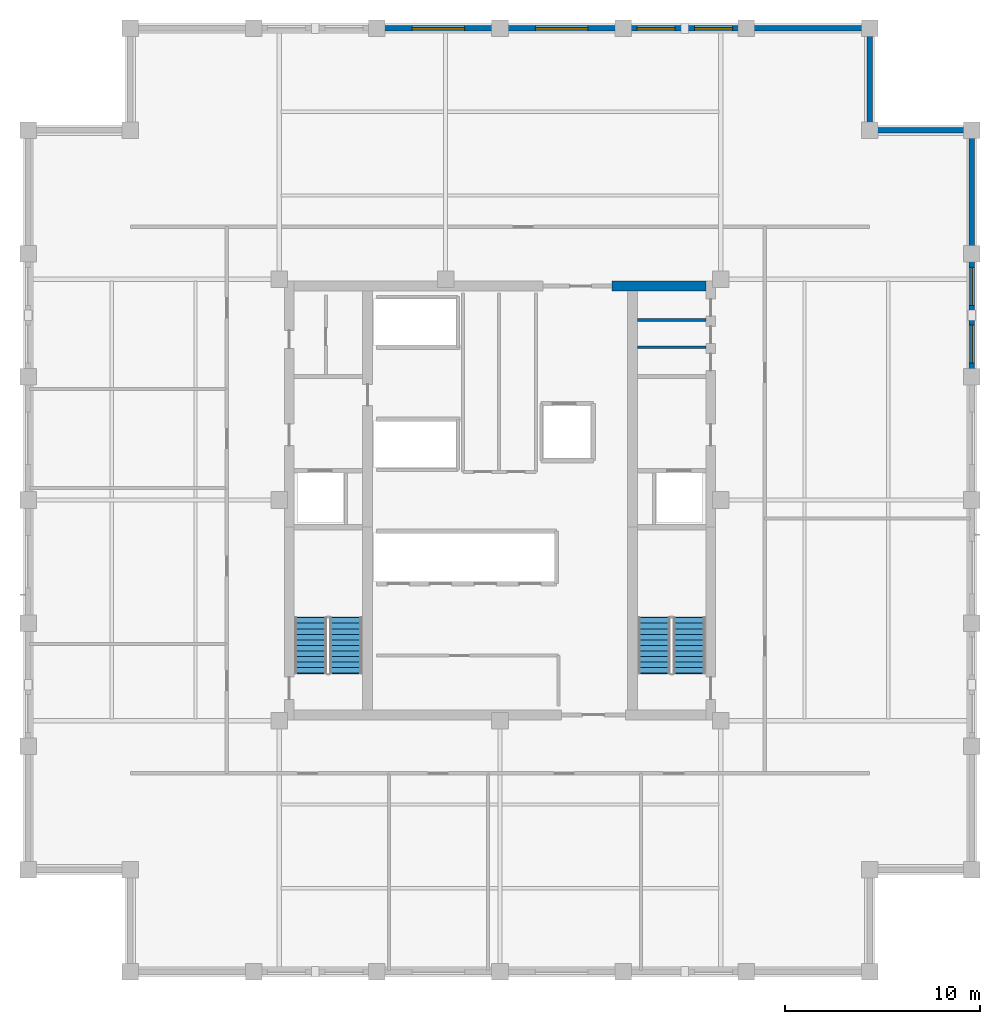
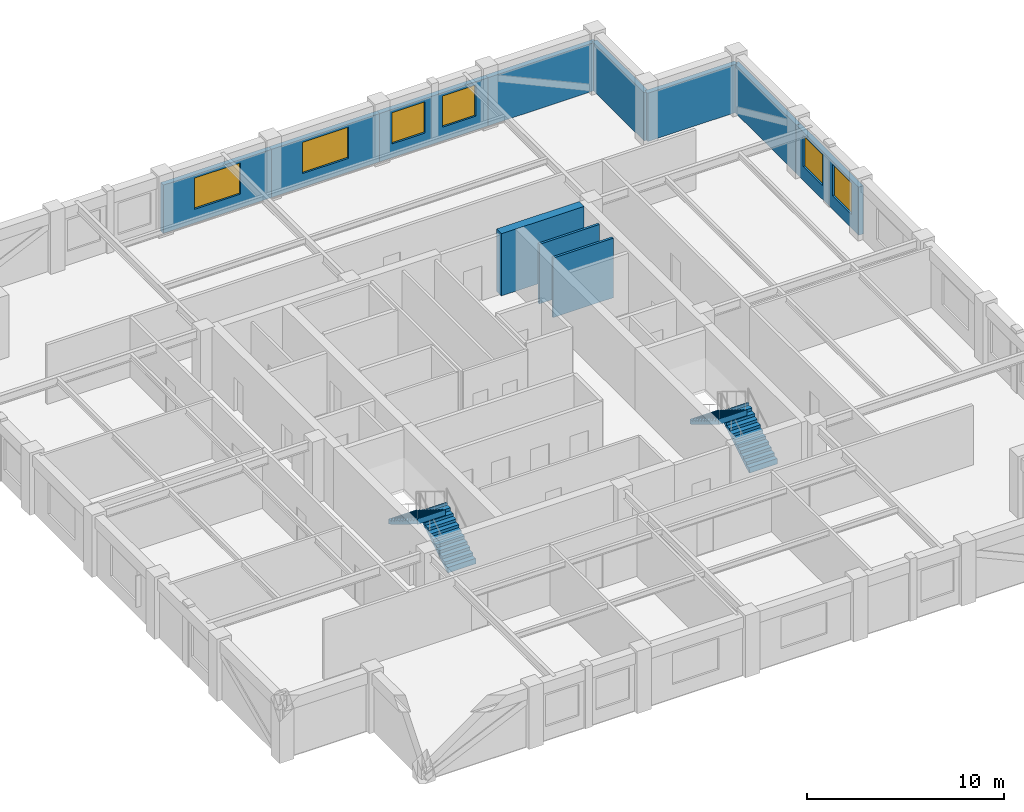
# One storey, part 8 of 9: 11 walls, 6 windows, 4 stair flights, 6 openings, 2 elements without a shape of their own.
"""IFC4 building model written with IfcOpenShell, lengths in metres."""

from ifc_helpers import new_model, si_unit, direction, frame, frame_2d, origin, place, context, subcontext, project, spatial, polyline, rectangle, outline, extrude, material, layer, layer_set, type_object, element, fill, aggregate, save


model = new_model("IFC4")

# Units and contexts
model_context = context("Model", 3, precision=1e-05, world=origin(), true_north=direction((0.0, 1.0)))
body_context = subcontext(model_context, "Body", "Model", "MODEL_VIEW")
ifc_project = project(units=[si_unit("LENGTHUNIT", "METRE"), si_unit("AREAUNIT", "SQUARE_METRE"), si_unit("VOLUMEUNIT", "CUBIC_METRE"), si_unit("PLANEANGLEUNIT", "RADIAN"), si_unit("MASSUNIT", "GRAM", prefix="KILO")], contexts=[model_context])

# Site, building, storey
site_placement = place(None, origin())
site = spatial("IfcSite", under=ifc_project, at=site_placement, CompositionType="ELEMENT")
building_placement = place(site_placement, origin())
building = spatial("IfcBuilding", under=site, at=building_placement, Name="Nhamokura Convention Tower", CompositionType="ELEMENT")
storey_placement = place(building_placement, frame((0.0, 0.0, 229.25)))
storey = spatial("IfcBuildingStorey", under=building, at=storey_placement, Name="L56", CompositionType="ELEMENT", Elevation=229.25)

# Walls
ifc_material_1 = material(Name="Moisture-resistant tile-backer partition", Category="masonry")
ifc_layer_1 = layer(ifc_material_1, 0.139892578125)
ifc_layer_set_1 = layer_set([ifc_layer_1], Name="BathroomWetWall_140")
wall_type_1 = type_object("IfcWallType", Name="BathroomWetWall_140", PredefinedType="STANDARD", material=ifc_layer_set_1)
for number, where, z_axis, x_axis, name in (
    (1, (39.06005859375, 39.85009765625, 0.0), (0.0, 0.0, 1.0), (1.0, 0.0, 0.0), "L56 Wall INT-L56-CWNE1"),
    (2, (39.06005859375, 41.25, 0.0), (0.0, 0.0, 1.0), (1.0, 0.0, 0.0), "L56 Wall INT-L56-CWNE2"),
):
    element("IfcWall", number, at=place(storey_placement, frame(where, z_axis=z_axis, x_axis=x_axis)), inside=storey, type_object=wall_type_1, Name=name, PredefinedType="STANDARD", context=body_context, shape_type="SweptSolid", body=[
        extrude(rectangle(XDim=3.530029296875, YDim=0.139892578125, at=frame_2d((1.76513671875, 0.0))), origin(), (0.0, 0.0, 1.0), 3.68505859375),
    ])

# Wall, opening, window
ifc_material_2 = material(Name="Bronze-pigmented precast concrete C45/55", Category="concrete")
ifc_layer_2 = layer(ifc_material_2, 0.280029296875)
ifc_layer_set_2 = layer_set([ifc_layer_2], Name="BronzePrecastSpandrel_280")
wall_type_2 = type_object("IfcWallType", Name="BronzePrecastSpandrel_280", PredefinedType="USERDEFINED", material=ifc_layer_set_2)
wall_1_placement = place(storey_placement, frame((25.666748046875, 56.25, 0.0), z_axis=(0.0, 0.0, 1.0), x_axis=(1.0, 0.0, 0.0)))
wall_1 = element("IfcWall", 3, at=wall_1_placement, inside=storey, type_object=wall_type_2, Name="L56 Masonry-Frame Wall NORTH 2", ObjectType="SPANDREL_WALL", PredefinedType="USERDEFINED", context=body_context, shape_type="SweptSolid", body=[
    extrude(rectangle(XDim=6.333251953125, YDim=0.280029296875, at=frame_2d((3.16650390625, 0.0))), origin(), (0.0, 0.0, 1.0), 2.985107421875),
])
opening_1_placement = place(wall_1_placement, frame((1.816650390625, 0.0, 0.85009765625)))
opening_1 = element("IfcOpeningElement", 4, at=opening_1_placement, cuts=wall_1, Name="Opening W-07", PredefinedType="OPENING", context=body_context, shape_type="SweptSolid", body=[
    extrude(rectangle(XDim=2.699951171875, YDim=1.93505859375, at=frame_2d((1.35009765625, 0.967529296875))), frame((0.0, 0.14990234375, 0.0), z_axis=(0.0, -1.0, 0.0), x_axis=(1.0, 0.0, 0.0)), (0.0, 0.0, 1.0), 0.300048828125),
])
ifc_material_3 = material(Name="Solar-control bronze low-E double glass", Category="glass")
window_type_1 = type_object("IfcWindowType", Name="OfficeModuleWindow_Z3_2700", PartitioningType="DOUBLE_PANEL_VERTICAL", PredefinedType="WINDOW", material=ifc_material_3)
window_1_placement = place(opening_1_placement, origin())
window_1 = element("IfcWindow", 5, at=window_1_placement, inside=storey, type_object=window_type_1, Name="L56 Facade Window NORTH 2", OverallHeight=1.93505859375, OverallWidth=2.699951171875, PartitioningType="SINGLE_PANEL", PredefinedType="WINDOW", context=body_context, shape_type="SweptSolid", body=[
    extrude(rectangle(XDim=2.699951171875, YDim=1.93505859375, at=frame_2d((1.35009765625, 0.967529296875))), frame((0.0, 0.030029296875, 0.0), z_axis=(0.0, -1.0, 0.0), x_axis=(1.0, 0.0, 0.0)), (0.0, 0.0, 1.0), 0.06005859375),
])
fill(opening_1, window_1)

wall_2_placement = place(storey_placement, frame((32.0, 56.25, 0.0), z_axis=(0.0, 0.0, 1.0), x_axis=(1.0, 0.0, 0.0)))
wall_2 = element("IfcWall", 6, at=wall_2_placement, inside=storey, type_object=wall_type_2, Name="L56 Masonry-Frame Wall NORTH 3", ObjectType="SPANDREL_WALL", PredefinedType="USERDEFINED", context=body_context, shape_type="SweptSolid", body=[
    extrude(rectangle(XDim=6.333251953125, YDim=0.280029296875, at=frame_2d((3.16650390625, 0.0))), origin(), (0.0, 0.0, 1.0), 2.985107421875),
])
opening_2_placement = place(wall_2_placement, frame((1.816650390625, 0.0, 0.85009765625)))
opening_2 = element("IfcOpeningElement", 7, at=opening_2_placement, cuts=wall_2, Name="Opening W-07", PredefinedType="OPENING", context=body_context, shape_type="SweptSolid", body=[
    extrude(rectangle(XDim=2.699951171875, YDim=1.93505859375, at=frame_2d((1.35009765625, 0.967529296875))), frame((0.0, 0.14990234375, 0.0), z_axis=(0.0, -1.0, 0.0), x_axis=(1.0, 0.0, 0.0)), (0.0, 0.0, 1.0), 0.300048828125),
])
window_2_placement = place(opening_2_placement, origin())
window_2 = element("IfcWindow", 8, at=window_2_placement, inside=storey, type_object=window_type_1, Name="L56 Facade Window NORTH 3", OverallHeight=1.93505859375, OverallWidth=2.699951171875, PartitioningType="SINGLE_PANEL", PredefinedType="WINDOW", context=body_context, shape_type="SweptSolid", body=[
    extrude(rectangle(XDim=2.699951171875, YDim=1.93505859375, at=frame_2d((1.35009765625, 0.967529296875))), frame((0.0, 0.030029296875, 0.0), z_axis=(0.0, -1.0, 0.0), x_axis=(1.0, 0.0, 0.0)), (0.0, 0.0, 1.0), 0.06005859375),
])
fill(opening_2, window_2)

# Wall, openings, windows
wall_3_placement = place(storey_placement, frame((38.333251953125, 56.25, 0.0), z_axis=(0.0, 0.0, 1.0), x_axis=(1.0, 0.0, 0.0)))
wall_3 = element("IfcWall", 9, at=wall_3_placement, inside=storey, type_object=wall_type_2, Name="L56 Masonry-Frame Wall NORTH 4", ObjectType="SPANDREL_WALL", PredefinedType="USERDEFINED", context=body_context, shape_type="SweptSolid", body=[
    extrude(rectangle(XDim=6.33349609375, YDim=0.280029296875, at=frame_2d((3.166748046875, 0.0))), origin(), (0.0, 0.0, 1.0), 2.985107421875),
])
opening_3_placement = place(wall_3_placement, frame((0.708251953125, 0.0, 0.85009765625)))
opening_3 = element("IfcOpeningElement", 10, at=opening_3_placement, cuts=wall_3, Name="Opening W-08", PredefinedType="OPENING", context=body_context, shape_type="SweptSolid", body=[
    extrude(rectangle(XDim=1.949951171875, YDim=1.93505859375, at=frame_2d((0.97509765625, 0.967529296875))), frame((0.0, 0.14990234375, 0.0), z_axis=(0.0, -1.0, 0.0), x_axis=(1.0, 0.0, 0.0)), (0.0, 0.0, 1.0), 0.300048828125),
])
opening_4_placement = place(wall_3_placement, frame((3.675048828125, 0.0, 0.85009765625)))
opening_4 = element("IfcOpeningElement", 11, at=opening_4_placement, cuts=wall_3, Name="Opening W-08", PredefinedType="OPENING", context=body_context, shape_type="SweptSolid", body=[
    extrude(rectangle(XDim=1.949951171875, YDim=1.93505859375, at=frame_2d((0.97509765625, 0.967529296875))), frame((0.0, 0.14990234375, 0.0), z_axis=(0.0, -1.0, 0.0), x_axis=(1.0, 0.0, 0.0)), (0.0, 0.0, 1.0), 0.300048828125),
])
ifc_material_4 = material(Name="Solar-control bronze low-E double glass", Category="glass")
window_type_2 = type_object("IfcWindowType", Name="OfficeModuleWindow_Z3_1950", PartitioningType="SINGLE_PANEL", PredefinedType="WINDOW", material=ifc_material_4)
window_3_placement = place(opening_3_placement, origin())
window_3 = element("IfcWindow", 12, at=window_3_placement, inside=storey, type_object=window_type_2, Name="L56 Facade Window NORTH 4-1", OverallHeight=1.93505859375, OverallWidth=1.949951171875, PartitioningType="SINGLE_PANEL", PredefinedType="WINDOW", context=body_context, shape_type="SweptSolid", body=[
    extrude(rectangle(XDim=1.949951171875, YDim=1.93505859375, at=frame_2d((0.97509765625, 0.967529296875))), frame((0.0, 0.030029296875, 0.0), z_axis=(0.0, -1.0, 0.0), x_axis=(1.0, 0.0, 0.0)), (0.0, 0.0, 1.0), 0.06005859375),
])
fill(opening_3, window_3)
window_4_placement = place(opening_4_placement, origin())
window_4 = element("IfcWindow", 13, at=window_4_placement, inside=storey, type_object=window_type_2, Name="L56 Facade Window NORTH 4-2", OverallHeight=1.93505859375, OverallWidth=1.949951171875, PartitioningType="SINGLE_PANEL", PredefinedType="WINDOW", context=body_context, shape_type="SweptSolid", body=[
    extrude(rectangle(XDim=1.949951171875, YDim=1.93505859375, at=frame_2d((0.97509765625, 0.967529296875))), frame((0.0, 0.030029296875, 0.0), z_axis=(0.0, -1.0, 0.0), x_axis=(1.0, 0.0, 0.0)), (0.0, 0.0, 1.0), 0.06005859375),
])
fill(opening_4, window_4)

# Wall
wall_4_placement = place(storey_placement, frame((44.666748046875, 56.25, 0.0), z_axis=(0.0, 0.0, 1.0), x_axis=(1.0, 0.0, 0.0)))
element("IfcWall", 14, at=wall_4_placement, inside=storey, type_object=wall_type_2, Name="L56 Braced-Bay Precast Wall NORTH 5", ObjectType="SPANDREL_WALL", PredefinedType="USERDEFINED", context=body_context, shape_type="SweptSolid", body=[
    extrude(rectangle(XDim=6.333251953125, YDim=0.280029296875, at=frame_2d((3.16650390625, 0.0))), origin(), (0.0, 0.0, 1.0), 2.985107421875),
])

# Wall, openings, windows
wall_5_placement = place(storey_placement, frame((56.25, 44.666748046875, 0.0), z_axis=(0.0, 0.0, 1.0), x_axis=(0.0, -1.0, 0.0)))
wall_5 = element("IfcWall", 15, at=wall_5_placement, inside=storey, type_object=wall_type_2, Name="L56 Masonry-Frame Wall EAST 4", ObjectType="SPANDREL_WALL", PredefinedType="USERDEFINED", context=body_context, shape_type="SweptSolid", body=[
    extrude(rectangle(XDim=6.33349609375, YDim=0.280029296875, at=frame_2d((3.166748046875, 0.0))), origin(), (0.0, 0.0, 1.0), 2.985107421875),
])
opening_5_placement = place(wall_5_placement, frame((0.708251953125, 0.0, 0.85009765625)))
opening_5 = element("IfcOpeningElement", 16, at=opening_5_placement, cuts=wall_5, Name="Opening W-08", PredefinedType="OPENING", context=body_context, shape_type="SweptSolid", body=[
    extrude(rectangle(XDim=1.949951171875, YDim=1.93505859375, at=frame_2d((0.97509765625, 0.967529296875))), frame((0.0, 0.14990234375, 0.0), z_axis=(0.0, -1.0, 0.0), x_axis=(1.0, 0.0, 0.0)), (0.0, 0.0, 1.0), 0.300048828125),
])
opening_6_placement = place(wall_5_placement, frame((3.675048828125, 0.0, 0.85009765625)))
opening_6 = element("IfcOpeningElement", 17, at=opening_6_placement, cuts=wall_5, Name="Opening W-08", PredefinedType="OPENING", context=body_context, shape_type="SweptSolid", body=[
    extrude(rectangle(XDim=1.949951171875, YDim=1.93505859375, at=frame_2d((0.97509765625, 0.967529296875))), frame((0.0, 0.14990234375, 0.0), z_axis=(0.0, -1.0, 0.0), x_axis=(1.0, 0.0, 0.0)), (0.0, 0.0, 1.0), 0.300048828125),
])
window_5_placement = place(opening_5_placement, origin())
window_5 = element("IfcWindow", 18, at=window_5_placement, inside=storey, type_object=window_type_2, Name="L56 Facade Window EAST 4-1", OverallHeight=1.93505859375, OverallWidth=1.949951171875, PartitioningType="SINGLE_PANEL", PredefinedType="WINDOW", context=body_context, shape_type="SweptSolid", body=[
    extrude(rectangle(XDim=1.949951171875, YDim=1.93505859375, at=frame_2d((0.97509765625, 0.967529296875))), frame((0.0, 0.030029296875, 0.0), z_axis=(0.0, -1.0, 0.0), x_axis=(1.0, 0.0, 0.0)), (0.0, 0.0, 1.0), 0.06005859375),
])
fill(opening_5, window_5)
window_6_placement = place(opening_6_placement, origin())
window_6 = element("IfcWindow", 19, at=window_6_placement, inside=storey, type_object=window_type_2, Name="L56 Facade Window EAST 4-2", OverallHeight=1.93505859375, OverallWidth=1.949951171875, PartitioningType="SINGLE_PANEL", PredefinedType="WINDOW", context=body_context, shape_type="SweptSolid", body=[
    extrude(rectangle(XDim=1.949951171875, YDim=1.93505859375, at=frame_2d((0.97509765625, 0.967529296875))), frame((0.0, 0.030029296875, 0.0), z_axis=(0.0, -1.0, 0.0), x_axis=(1.0, 0.0, 0.0)), (0.0, 0.0, 1.0), 0.06005859375),
])
fill(opening_6, window_6)

# Walls
wall_6_placement = place(storey_placement, frame((56.25, 51.0, 0.0), z_axis=(0.0, 0.0, 1.0), x_axis=(0.0, -1.0, 0.0)))
element("IfcWall", 20, at=wall_6_placement, inside=storey, type_object=wall_type_2, Name="L56 Braced-Bay Precast Wall EAST 5", ObjectType="SPANDREL_WALL", PredefinedType="USERDEFINED", context=body_context, shape_type="SweptSolid", body=[
    extrude(rectangle(XDim=6.333251953125, YDim=0.280029296875, at=frame_2d((3.16650390625, 0.0))), origin(), (0.0, 0.0, 1.0), 2.985107421875),
])
for number, where, z_axis, x_axis, name in (
    (21, (51.0, 51.0, 0.0), (0.0, 0.0, 1.0), (1.0, 0.0, 0.0), "L56 Notched Corner Wall NE1"),
    (22, (51.0, 56.25, 0.0), (0.0, 0.0, 1.0), (0.0, -1.0, 0.0), "L56 Notched Corner Wall NE2"),
):
    element("IfcWall", number, at=place(storey_placement, frame(where, z_axis=z_axis, x_axis=x_axis)), inside=storey, type_object=wall_type_2, Name=name, ObjectType="SPANDREL_WALL", PredefinedType="USERDEFINED", context=body_context, shape_type="SweptSolid", body=[
        extrude(rectangle(XDim=5.25, YDim=0.280029296875, at=frame_2d((2.625, 0.0))), origin(), (0.0, 0.0, 1.0), 2.985107421875),
    ])
ifc_material_5 = material(Name="Concrete C60/75", Category="concrete")
ifc_layer_3 = layer(ifc_material_5, 0.5)
ifc_layer_set_3 = layer_set([ifc_layer_3], Name="CoreShearWall_500")
wall_type_3 = type_object("IfcWallType", Name="CoreShearWall_500", PredefinedType="SHEAR", material=ifc_layer_set_3)
wall_7_placement = place(storey_placement, frame((37.75, 43.0, 0.0), z_axis=(0.0, 0.0, 1.0), x_axis=(1.0, 0.0, 0.0)))
element("IfcWall", 23, at=wall_7_placement, inside=storey, type_object=wall_type_3, Name="L56 Core Shear Wall CW-N2", PredefinedType="SHEAR", context=body_context, shape_type="SweptSolid", body=[
    extrude(rectangle(XDim=4.840087890625, YDim=0.5, at=frame_2d((2.419921875, 0.0))), origin(), (0.0, 0.0, 1.0), 3.85009765625),
])

# Stair, stair flights
ifc_material_6 = material(Name="Concrete C40/50", Category="concrete")
stair_type = type_object("IfcStairType", Name="TowerCoreStair_1650", PredefinedType="HALF_TURN_STAIR", material=ifc_material_6)
stair_1_placement = place(storey_placement, origin())
stair_1 = element("IfcStair", 24, at=stair_1_placement, inside=storey, type_object=stair_type, Name="L56 West Core Smokeproof Stair ST-01", PredefinedType="HALF_TURN_STAIR")
ifc_material_7 = material(Name="Concrete C40/50", Category="concrete")
stair_flight_type = type_object("IfcStairFlightType", Name="TowerCoreStair_1650_Flight", PredefinedType="STRAIGHT", material=ifc_material_7)
stair_flight_1_placement = place(storey_placement, frame((24.074951171875, 23.10009765625, 0.0), z_axis=(0.0, 0.0, 1.0), x_axis=(0.0, 1.0, 0.0)))
stair_flight_1 = element("IfcStairFlight", 25, at=stair_flight_1_placement, type_object=stair_flight_type, Name="ST-01 flight 1", NumberOfRisers=11, NumberOfTreads=10, PredefinedType="STRAIGHT", RiserHeight=0.175, TreadLength=0.285, context=body_context, shape_type="SweptSolid", body=[
    extrude(outline(polyline([(-0.0419921875, 0.0), (0.0, 0.175048828125), (0.284912109375, 0.175048828125), (0.284912109375, 0.35009765625), (0.570068359375, 0.35009765625), (0.570068359375, 0.52490234375), (0.85498046875, 0.52490234375), (0.85498046875, 0.699951171875), (1.139892578125, 0.699951171875), (1.139892578125, 0.875), (1.425048828125, 0.875), (1.425048828125, 1.050048828125), (1.7099609375, 1.050048828125), (1.7099609375, 1.22509765625), (1.9951171875, 1.22509765625), (1.9951171875, 1.39990234375), (2.280029296875, 1.39990234375), (2.280029296875, 1.574951171875), (2.56494140625, 1.574951171875), (2.56494140625, 1.75), (2.85009765625, 1.75), (2.85009765625, 1.925048828125), (2.89208984375, 1.925048828125), (2.89208984375, 1.573974609375), (2.85009765625, 1.573974609375), (0.286376953125, 0.0), (0.02001953125, -0.1298828125), (-0.0419921875, -0.1298828125), (-0.0419921875, 0.0)])), frame((0.0, 0.824951171875, 0.0), z_axis=(0.0, -1.0, 0.0), x_axis=(1.0, 0.0, 0.0)), (0.0, 0.0, 1.0), 1.64990234375),
])
stair_flight_2_placement = place(storey_placement, frame((22.27490234375, 25.949951171875, 1.925048828125), z_axis=(0.0, 0.0, 1.0), x_axis=(0.0, -1.0, 0.0)))
stair_flight_2 = element("IfcStairFlight", 26, at=stair_flight_2_placement, type_object=stair_flight_type, Name="ST-01 flight 2", NumberOfRisers=11, NumberOfTreads=10, PredefinedType="STRAIGHT", RiserHeight=0.175, TreadLength=0.285, context=body_context, shape_type="SweptSolid", body=[
    extrude(outline(polyline([(-0.0419921875, 0.0), (0.0, 0.175048828125), (0.284912109375, 0.175048828125), (0.284912109375, 0.35009765625), (0.570068359375, 0.35009765625), (0.570068359375, 0.52490234375), (0.85498046875, 0.52490234375), (0.85498046875, 0.699951171875), (1.139892578125, 0.699951171875), (1.139892578125, 0.875), (1.425048828125, 0.875), (1.425048828125, 1.050048828125), (1.7099609375, 1.050048828125), (1.7099609375, 1.22509765625), (1.9951171875, 1.22509765625), (1.9951171875, 1.39990234375), (2.280029296875, 1.39990234375), (2.280029296875, 1.574951171875), (2.56494140625, 1.574951171875), (2.56494140625, 1.75), (2.85009765625, 1.75), (2.85009765625, 1.925048828125), (2.89208984375, 1.925048828125), (2.89208984375, 1.573974609375), (2.85009765625, 1.573974609375), (0.286376953125, 0.0), (0.02001953125, -0.1298828125), (-0.0419921875, -0.1298828125), (-0.0419921875, 0.0)])), frame((0.0, 0.824951171875, 0.0), z_axis=(0.0, -1.0, 0.0), x_axis=(1.0, 0.0, 0.0)), (0.0, 0.0, 1.0), 1.64990234375),
])
aggregate(stair_1, [stair_flight_1, stair_flight_2])

stair_2_placement = place(storey_placement, origin())
stair_2 = element("IfcStair", 27, at=stair_2_placement, inside=storey, type_object=stair_type, Name="L56 East Core Smokeproof Stair ST-02", PredefinedType="HALF_TURN_STAIR")
stair_flight_3_placement = place(storey_placement, frame((41.72509765625, 23.10009765625, 0.0), z_axis=(0.0, 0.0, 1.0), x_axis=(0.0, 1.0, 0.0)))
stair_flight_3 = element("IfcStairFlight", 28, at=stair_flight_3_placement, type_object=stair_flight_type, Name="ST-02 flight 1", NumberOfRisers=11, NumberOfTreads=10, PredefinedType="STRAIGHT", RiserHeight=0.175, TreadLength=0.285, context=body_context, shape_type="SweptSolid", body=[
    extrude(outline(polyline([(-0.0419921875, 0.0), (0.0, 0.175048828125), (0.284912109375, 0.175048828125), (0.284912109375, 0.35009765625), (0.570068359375, 0.35009765625), (0.570068359375, 0.52490234375), (0.85498046875, 0.52490234375), (0.85498046875, 0.699951171875), (1.139892578125, 0.699951171875), (1.139892578125, 0.875), (1.425048828125, 0.875), (1.425048828125, 1.050048828125), (1.7099609375, 1.050048828125), (1.7099609375, 1.22509765625), (1.9951171875, 1.22509765625), (1.9951171875, 1.39990234375), (2.280029296875, 1.39990234375), (2.280029296875, 1.574951171875), (2.56494140625, 1.574951171875), (2.56494140625, 1.75), (2.85009765625, 1.75), (2.85009765625, 1.925048828125), (2.89208984375, 1.925048828125), (2.89208984375, 1.573974609375), (2.85009765625, 1.573974609375), (0.286376953125, 0.0), (0.02001953125, -0.1298828125), (-0.0419921875, -0.1298828125), (-0.0419921875, 0.0)])), frame((0.0, 0.824951171875, 0.0), z_axis=(0.0, -1.0, 0.0), x_axis=(1.0, 0.0, 0.0)), (0.0, 0.0, 1.0), 1.64990234375),
])
stair_flight_4_placement = place(storey_placement, frame((39.925048828125, 25.949951171875, 1.925048828125), z_axis=(0.0, 0.0, 1.0), x_axis=(0.0, -1.0, 0.0)))
stair_flight_4 = element("IfcStairFlight", 29, at=stair_flight_4_placement, type_object=stair_flight_type, Name="ST-02 flight 2", NumberOfRisers=11, NumberOfTreads=10, PredefinedType="STRAIGHT", RiserHeight=0.175, TreadLength=0.285, context=body_context, shape_type="SweptSolid", body=[
    extrude(outline(polyline([(-0.0419921875, 0.0), (0.0, 0.175048828125), (0.284912109375, 0.175048828125), (0.284912109375, 0.35009765625), (0.570068359375, 0.35009765625), (0.570068359375, 0.52490234375), (0.85498046875, 0.52490234375), (0.85498046875, 0.699951171875), (1.139892578125, 0.699951171875), (1.139892578125, 0.875), (1.425048828125, 0.875), (1.425048828125, 1.050048828125), (1.7099609375, 1.050048828125), (1.7099609375, 1.22509765625), (1.9951171875, 1.22509765625), (1.9951171875, 1.39990234375), (2.280029296875, 1.39990234375), (2.280029296875, 1.574951171875), (2.56494140625, 1.574951171875), (2.56494140625, 1.75), (2.85009765625, 1.75), (2.85009765625, 1.925048828125), (2.89208984375, 1.925048828125), (2.89208984375, 1.573974609375), (2.85009765625, 1.573974609375), (0.286376953125, 0.0), (0.02001953125, -0.1298828125), (-0.0419921875, -0.1298828125), (-0.0419921875, 0.0)])), frame((0.0, 0.824951171875, 0.0), z_axis=(0.0, -1.0, 0.0), x_axis=(1.0, 0.0, 0.0)), (0.0, 0.0, 1.0), 1.64990234375),
])
aggregate(stair_2, [stair_flight_3, stair_flight_4])

save(model, "model.ifc")
